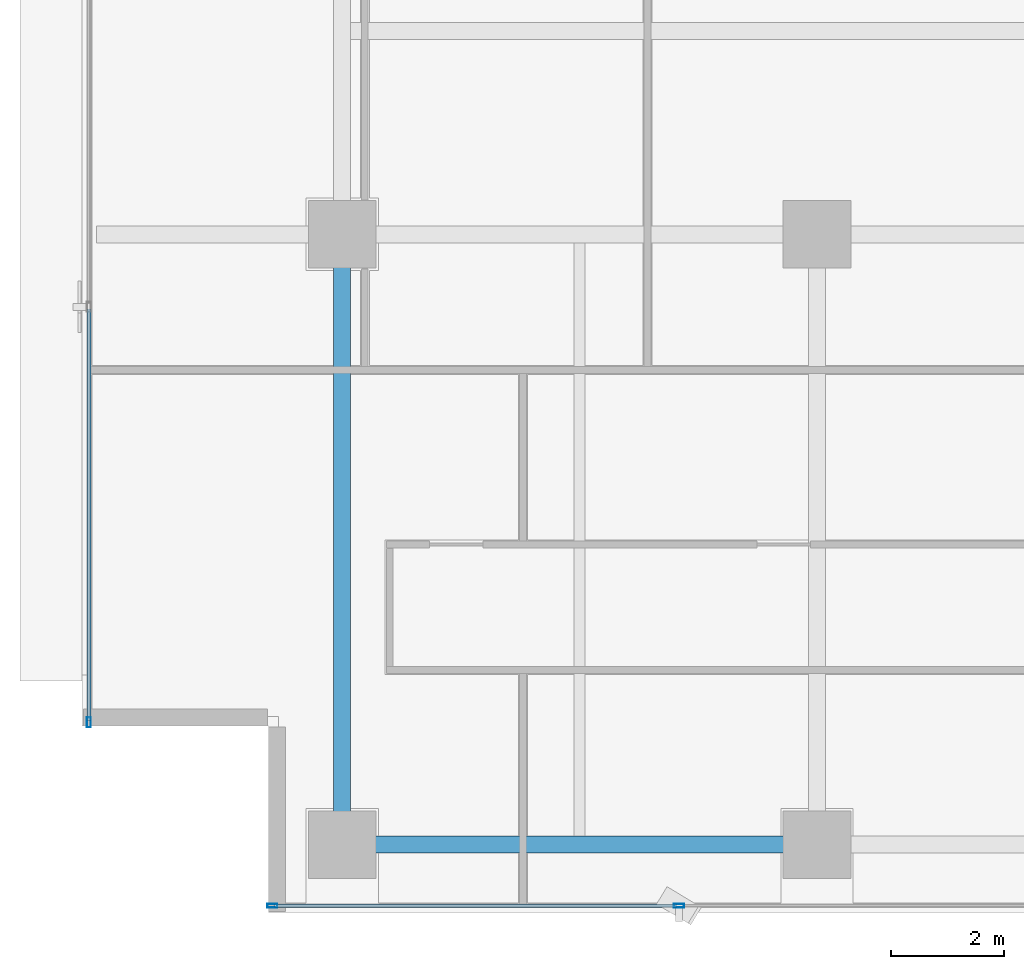
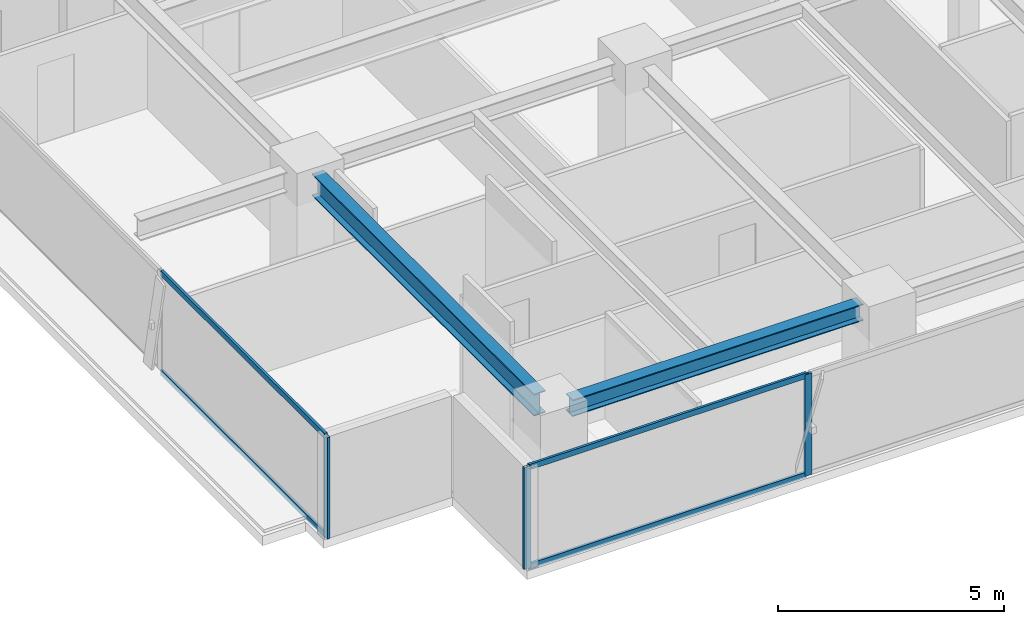
# One storey, part 2 of 22: 7 members, 2 beams, 2 elements without a shape of their own.
"""IFC4 building model written with IfcOpenShell, lengths in metres."""

from ifc_helpers import new_model, si_unit, direction, frame, origin, origin_2d, place, context, subcontext, project, spatial, hollow_rectangle, i_section, extrude, source, transform, mapped, material, layer, layer_set, material_profile, profile_set, type_object, element, aggregate, save


model = new_model("IFC4")

# Units and contexts
model_context = context("Model", 3, precision=1e-05, world=origin(), true_north=direction((0.0, 1.0)))
body_context = subcontext(model_context, "Body", "Model", "MODEL_VIEW")
ifc_project = project(units=[si_unit("LENGTHUNIT", "METRE"), si_unit("AREAUNIT", "SQUARE_METRE"), si_unit("VOLUMEUNIT", "CUBIC_METRE"), si_unit("PLANEANGLEUNIT", "RADIAN"), si_unit("MASSUNIT", "GRAM", prefix="KILO")], contexts=[model_context])

# Site, building, storey
site_placement = place(None, origin())
site = spatial("IfcSite", under=ifc_project, at=site_placement, CompositionType="ELEMENT")
building_placement = place(site_placement, origin())
building = spatial("IfcBuilding", under=site, at=building_placement, Name="Sumidabori Civic Tower", CompositionType="ELEMENT")
storey_placement = place(building_placement, frame((0.0, 0.0, 272.0)))
storey = spatial("IfcBuildingStorey", under=building, at=storey_placement, Name="L71", CompositionType="ELEMENT", Elevation=272.0)

# Beams
ifc_material_1 = material(Name="Steel SN490", Category="steel")
ifc_material_profile_1 = material_profile(ifc_material_1, i_section(OverallWidth=0.300048828125, OverallDepth=0.60009765625, WebThickness=0.015380859375, FlangeThickness=0.030029296875, at=origin_2d()), Name="HE 600 B")
ifc_profile_set_1 = profile_set([ifc_material_profile_1], Name="Steel SN490")
beam_type_1 = type_object("IfcBeamType", Name="BM-GIRD-600", PredefinedType="BEAM", material=ifc_profile_set_1)
shared_shape_1 = source(origin(), body_context, "Body", "SweptSolid", [
    extrude(i_section(OverallWidth=0.300048828125, OverallDepth=0.60009765625, WebThickness=0.015380859375, FlangeThickness=0.030029296875, at=origin_2d()), origin(), (0.0, 0.0, 1.0), 9.840087890625),
])
beam_1_placement = place(storey_placement, frame((-16.800048828125, -10.320068359375, 3.070068359375), z_axis=(0.0, 1.0, 0.0), x_axis=(-1.0, 0.0, 0.0)))
element("IfcBeam", 1, at=beam_1_placement, inside=storey, type_object=beam_type_1, Name="Primary Girder L71 GY-09", PredefinedType="BEAM", context=body_context, shape_type="MappedRepresentation", body=[
    mapped(shared_shape_1, transform((0.0, 0.0, 0.0), x_axis=(1.0, 0.0, 0.0), y_axis=(0.0, 1.0, 0.0), z_axis=(0.0, 0.0, 1.0), scale=1.0)),
])
ifc_material_profile_2 = material_profile(ifc_material_1, i_section(OverallWidth=0.300048828125, OverallDepth=0.449951171875, WebThickness=0.013916015625, FlangeThickness=0.02587890625, at=origin_2d()), Name="HE 450 B")
ifc_profile_set_2 = profile_set([ifc_material_profile_2], Name="Steel SN490")
beam_type_2 = type_object("IfcBeamType", Name="BM-GIRD-450", PredefinedType="BEAM", material=ifc_profile_set_2)
shared_shape_2 = source(origin(), body_context, "Body", "SweptSolid", [
    extrude(i_section(OverallWidth=0.300048828125, OverallDepth=0.449951171875, WebThickness=0.013916015625, FlangeThickness=0.02587890625, at=origin_2d()), origin(), (0.0, 0.0, 1.0), 7.440185546875),
])
beam_2_placement = place(storey_placement, frame((-16.320068359375, -10.800048828125, 3.14501953125), z_axis=(1.0, 0.0, 0.0), x_axis=(0.0, 1.0, 0.0)))
element("IfcBeam", 2, at=beam_2_placement, inside=storey, type_object=beam_type_2, Name="Primary Girder L71 GX-01", PredefinedType="BEAM", context=body_context, shape_type="MappedRepresentation", body=[
    mapped(shared_shape_2, transform((0.0, 0.0, 0.0), x_axis=(1.0, 0.0, 0.0), y_axis=(0.0, 1.0, 0.0), z_axis=(0.0, 0.0, 1.0), scale=1.0)),
])

# Curtain wall, members
ifc_material_2 = material(Name="Anodised Bronze Aluminium AW-6063-T6", Category="aluminium")
ifc_layer = layer(ifc_material_2, 0.179931640625, Name="Anodised Bronze Aluminium AW-6063-T6")
ifc_layer_set = layer_set([ifc_layer], Name="Anodised Bronze Aluminium AW-6063-T6")
curtain_wall_type = type_object("IfcCurtainWallType", Name="CW-SYS-6", PredefinedType="NOTDEFINED", material=ifc_layer_set)
curtain_wall_1_placement = place(storey_placement, origin())
curtain_wall_1 = element("IfcCurtainWall", 3, at=curtain_wall_1_placement, inside=storey, type_object=curtain_wall_type, Name="Curtain Wall CW:L71:R01", PredefinedType="NOTDEFINED")
ifc_material_profile_3 = material_profile(ifc_material_2, hollow_rectangle(XDim=0.070068359375, YDim=0.179931640625, WallThickness=0.006103515625, at=origin_2d()), Name="ALU MULLION 180x70")
ifc_profile_set_3 = profile_set([ifc_material_profile_3], Name="Anodised Bronze Aluminium AW-6063-T6")
member_type_1 = type_object("IfcMemberType", Name="CW-MUL-180", PredefinedType="MULLION", material=ifc_profile_set_3)
shared_shape_3 = source(origin(), body_context, "Body", "SweptSolid", [
    extrude(hollow_rectangle(XDim=0.070068359375, YDim=0.179931640625, WallThickness=0.006103515625, at=origin_2d()), origin(), (0.0, 0.0, 1.0), 2.75),
])
member_1_placement = place(storey_placement, frame((-18.034912109375, -11.8798828125, 0.0), z_axis=(0.0, 0.0, 1.0), x_axis=(0.0, 1.0, 0.0)))
member_1 = element("IfcMember", 4, at=member_1_placement, type_object=member_type_1, Name="CW-6 mullion 1", PredefinedType="MULLION", context=body_context, shape_type="MappedRepresentation", body=[
    mapped(shared_shape_3, transform((0.0, 0.0, 0.0), x_axis=(1.0, 0.0, 0.0), y_axis=(0.0, 1.0, 0.0), z_axis=(0.0, 0.0, 1.0), scale=1.0)),
])
member_2_placement = place(storey_placement, frame((-10.842041015625, -11.8798828125, 0.0), z_axis=(0.0, 0.0, 1.0), x_axis=(0.0, 1.0, 0.0)))
member_2 = element("IfcMember", 5, at=member_2_placement, type_object=member_type_1, Name="CW-6 mullion 2", PredefinedType="MULLION", context=body_context, shape_type="MappedRepresentation", body=[
    mapped(shared_shape_3, transform((0.0, 0.0, 0.0), x_axis=(1.0, 0.0, 0.0), y_axis=(0.0, 1.0, 0.0), z_axis=(0.0, 0.0, 1.0), scale=1.0)),
])

# Curtain wall, member
curtain_wall_2_placement = place(storey_placement, origin())
curtain_wall_2 = element("IfcCurtainWall", 6, at=curtain_wall_2_placement, inside=storey, type_object=curtain_wall_type, Name="Curtain Wall CW:L71:R10", PredefinedType="NOTDEFINED")
member_3_placement = place(storey_placement, frame((-21.280029296875, -8.635009765625, 0.0), z_axis=(0.0, 0.0, 1.0), x_axis=(1.0, 0.0, 0.0)))
member_3 = element("IfcMember", 7, at=member_3_placement, type_object=member_type_1, Name="CW-6 mullion 5", PredefinedType="MULLION", context=body_context, shape_type="MappedRepresentation", body=[
    mapped(shared_shape_3, transform((0.0, 0.0, 0.0), x_axis=(1.0, 0.0, 0.0), y_axis=(0.0, 1.0, 0.0), z_axis=(0.0, 0.0, 1.0), scale=1.0)),
])

# Member
ifc_material_profile_4 = material_profile(ifc_material_2, hollow_rectangle(XDim=0.06494140625, YDim=0.14990234375, WallThickness=0.0048828125, at=origin_2d()), Name="ALU TRANSOM 150x65")
ifc_profile_set_4 = profile_set([ifc_material_profile_4], Name="Anodised Bronze Aluminium AW-6063-T6")
member_type_2 = type_object("IfcMemberType", Name="CW-TRN-150", PredefinedType="USERDEFINED", material=ifc_profile_set_4)
shared_shape_4 = source(origin(), body_context, "Body", "SweptSolid", [
    extrude(hollow_rectangle(XDim=0.06494140625, YDim=0.14990234375, WallThickness=0.0048828125, at=origin_2d()), origin(), (0.0, 0.0, 1.0), 7.123046875),
])
member_4_placement = place(storey_placement, frame((-18.0, -11.8798828125, 0.032470703125), z_axis=(1.0, 0.0, 0.0), x_axis=(0.0, 1.0, 0.0)))
member_4 = element("IfcMember", 8, at=member_4_placement, type_object=member_type_2, Name="CW-6 transom 1.1", ObjectType="TRANSOM", PredefinedType="USERDEFINED", context=body_context, shape_type="MappedRepresentation", body=[
    mapped(shared_shape_4, transform((0.0, 0.0, 0.0), x_axis=(1.0, 0.0, 0.0), y_axis=(0.0, 1.0, 0.0), z_axis=(0.0, 0.0, 1.0), scale=1.0)),
])

member_5_placement = place(storey_placement, frame((-18.0, -11.8798828125, 2.717529296875), z_axis=(1.0, 0.0, 0.0), x_axis=(0.0, 1.0, 0.0)))
member_5 = element("IfcMember", 9, at=member_5_placement, type_object=member_type_2, Name="CW-6 transom 1.2", ObjectType="TRANSOM", PredefinedType="USERDEFINED", context=body_context, shape_type="MappedRepresentation", body=[
    mapped(shared_shape_4, transform((0.0, 0.0, 0.0), x_axis=(1.0, 0.0, 0.0), y_axis=(0.0, 1.0, 0.0), z_axis=(0.0, 0.0, 1.0), scale=1.0)),
])

aggregate(curtain_wall_1, [member_1, member_2, member_4, member_5])

shared_shape_5 = source(origin(), body_context, "Body", "SweptSolid", [
    extrude(hollow_rectangle(XDim=0.06494140625, YDim=0.14990234375, WallThickness=0.0048828125, at=origin_2d()), origin(), (0.0, 0.0, 1.0), 7.280029296875),
])
member_6_placement = place(storey_placement, frame((-21.280029296875, -1.320068359375, 0.032470703125), z_axis=(0.0, -1.0, 0.0), x_axis=(1.0, 0.0, 0.0)))
member_6 = element("IfcMember", 10, at=member_6_placement, type_object=member_type_2, Name="CW-6 transom 4.1", ObjectType="TRANSOM", PredefinedType="USERDEFINED", context=body_context, shape_type="MappedRepresentation", body=[
    mapped(shared_shape_5, transform((0.0, 0.0, 0.0), x_axis=(1.0, 0.0, 0.0), y_axis=(0.0, 1.0, 0.0), z_axis=(0.0, 0.0, 1.0), scale=1.0)),
])

member_7_placement = place(storey_placement, frame((-21.280029296875, -1.320068359375, 2.717529296875), z_axis=(0.0, -1.0, 0.0), x_axis=(1.0, 0.0, 0.0)))
member_7 = element("IfcMember", 11, at=member_7_placement, type_object=member_type_2, Name="CW-6 transom 4.2", ObjectType="TRANSOM", PredefinedType="USERDEFINED", context=body_context, shape_type="MappedRepresentation", body=[
    mapped(shared_shape_5, transform((0.0, 0.0, 0.0), x_axis=(1.0, 0.0, 0.0), y_axis=(0.0, 1.0, 0.0), z_axis=(0.0, 0.0, 1.0), scale=1.0)),
])

aggregate(curtain_wall_2, [member_3, member_6, member_7])

save(model, "model.ifc")
